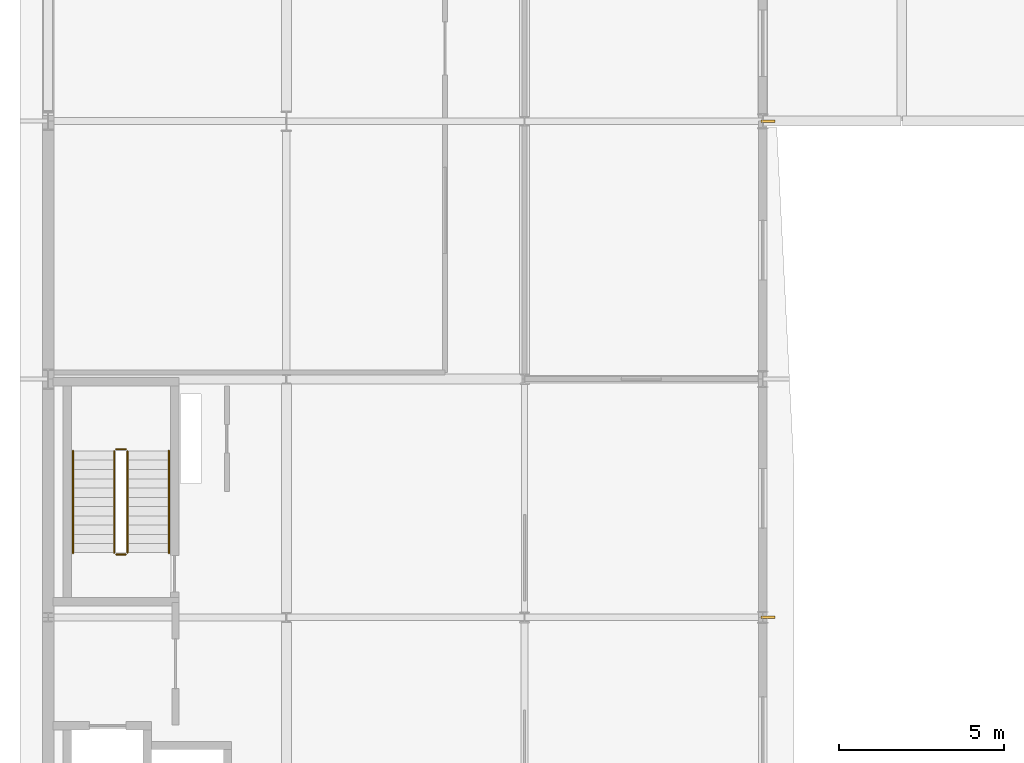
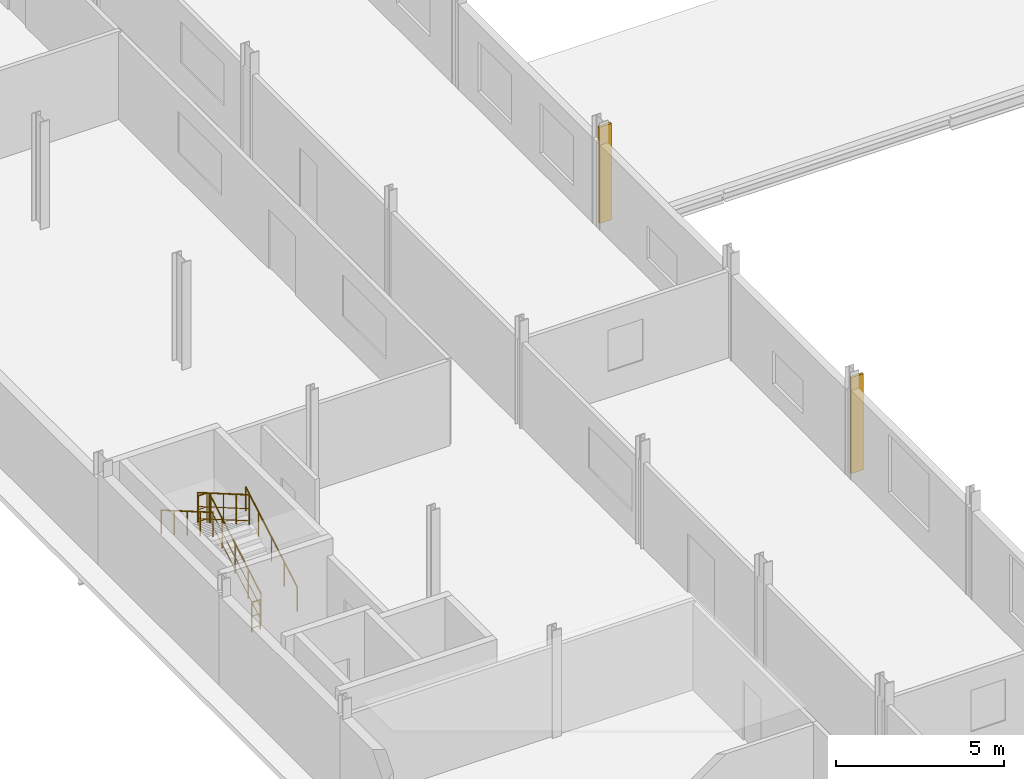
# One storey, part 76 of 78: 6 railings, 2 shading devices.
"""IFC4 building model written with IfcOpenShell, lengths in metres."""

from ifc_helpers import new_model, si_unit, direction, frame, origin, origin_2d, place, context, subcontext, project, spatial, rectangle, circle, extrude, material, type_object, element, save


model = new_model("IFC4")

# Units and contexts
model_context = context("Model", 3, precision=1e-05, world=origin(), true_north=direction((0.0, 1.0)))
body_context = subcontext(model_context, "Body", "Model", "MODEL_VIEW")
ifc_project = project(units=[si_unit("LENGTHUNIT", "METRE"), si_unit("AREAUNIT", "SQUARE_METRE"), si_unit("VOLUMEUNIT", "CUBIC_METRE"), si_unit("PLANEANGLEUNIT", "RADIAN"), si_unit("MASSUNIT", "GRAM", prefix="KILO")], contexts=[model_context])

# Site, building, storey
site_placement = place(None, origin())
site = spatial("IfcSite", under=ifc_project, at=site_placement, CompositionType="ELEMENT")
building_placement = place(site_placement, origin())
building = spatial("IfcBuilding", under=site, at=building_placement, Name="Vinh Khe Railworks Police Headquarters", CompositionType="ELEMENT")
storey_placement = place(building_placement, frame((0.0, 0.0, 13.199951171875)))
storey = spatial("IfcBuildingStorey", under=building, at=storey_placement, Name="L03", CompositionType="ELEMENT", Elevation=13.199951171875)

# Railings
ifc_material_1 = material(Name="Painted tubular steel", Category="steel")
railing_type_1 = type_object("IfcRailingType", Name="RL-GUARD-1100", PredefinedType="GUARDRAIL", material=ifc_material_1)
railing_1_placement = place(storey_placement, frame((3.0, 82.949951171875, 0.16259765625)))
element("IfcRailing", 1, at=railing_1_placement, inside=storey, type_object=railing_type_1, Name="L03 ST-02 stair guard 1", PredefinedType="GUARDRAIL", context=body_context, shape_type="SweptSolid", body=[
    extrude(circle(Radius=0.02392578125, at=origin_2d()), frame((0.0, 0.0, 1.076171875), z_axis=(0.0, 0.864920483161, 0.501908913857), x_axis=(-1.0, 0.0, 0.0)), (0.0, 0.0, 1.0), 3.56103515625),
    extrude(circle(Radius=0.01416015625, at=origin_2d()), frame((0.0, 0.0, 0.132080078125), z_axis=(0.0, 0.864920483161, 0.501908913857), x_axis=(-1.0, 0.0, 0.0)), (0.0, 0.0, 1.0), 3.56103515625),
    extrude(circle(Radius=0.01416015625, at=origin_2d()), frame((0.0, 0.0, 0.572021484375), z_axis=(0.0, 0.864920483161, 0.501908913857), x_axis=(-1.0, 0.0, 0.0)), (0.0, 0.0, 1.0), 3.56103515625),
    extrude(circle(Radius=0.02099609375, at=origin_2d()), origin(), (0.0, 0.0, 1.0), 1.052001953125),
    extrude(circle(Radius=0.02099609375, at=origin_2d()), frame((0.0, 0.77001953125, 0.44677734375)), (0.0, 0.0, 1.0), 1.052001953125),
    extrude(circle(Radius=0.02099609375, at=origin_2d()), frame((0.0, 1.5400390625, 0.8935546875)), (0.0, 0.0, 1.0), 1.052001953125),
    extrude(circle(Radius=0.02099609375, at=origin_2d()), frame((0.0, 2.31005859375, 1.340576171875)), (0.0, 0.0, 1.0), 1.052001953125),
    extrude(circle(Radius=0.02099609375, at=origin_2d()), frame((0.0, 3.080078125, 1.787353515625)), (0.0, 0.0, 1.0), 1.052001953125),
])
railing_2_placement = place(storey_placement, frame((2.949951171875, 86.080078125, 1.949951171875)))
element("IfcRailing", 2, at=railing_2_placement, inside=storey, type_object=railing_type_1, Name="L03 ST-02 stair guard 2", PredefinedType="GUARDRAIL", context=body_context, shape_type="SweptSolid", body=[
    extrude(circle(Radius=0.02392578125, at=origin_2d()), frame((0.0, 0.0, 1.076171875), z_axis=(-1.0, 0.0, 0.0), x_axis=(0.0, -1.0, 0.0)), (0.0, 0.0, 1.0), 0.300048828125),
    extrude(circle(Radius=0.01416015625, at=origin_2d()), frame((0.0, 0.0, 0.132080078125), z_axis=(-1.0, 0.0, 0.0), x_axis=(0.0, -1.0, 0.0)), (0.0, 0.0, 1.0), 0.300048828125),
    extrude(circle(Radius=0.01416015625, at=origin_2d()), frame((0.0, 0.0, 0.572021484375), z_axis=(-1.0, 0.0, 0.0), x_axis=(0.0, -1.0, 0.0)), (0.0, 0.0, 1.0), 0.300048828125),
    extrude(circle(Radius=0.02099609375, at=origin_2d()), origin(), (0.0, 0.0, 1.0), 1.052001953125),
    extrude(circle(Radius=0.02099609375, at=origin_2d()), frame((-0.300048828125, 0.0, 0.0)), (0.0, 0.0, 1.0), 1.052001953125),
])
railing_3_placement = place(storey_placement, frame((2.60009765625, 86.030029296875, 2.112548828125)))
element("IfcRailing", 3, at=railing_3_placement, inside=storey, type_object=railing_type_1, Name="L03 ST-02 stair guard 3", PredefinedType="GUARDRAIL", context=body_context, shape_type="SweptSolid", body=[
    extrude(circle(Radius=0.02392578125, at=origin_2d()), frame((0.0, 0.0, 1.076171875), z_axis=(0.0, -0.864890721111, 0.501960198159), x_axis=(1.0, 0.0, 0.0)), (0.0, 0.0, 1.0), 3.561279296875),
    extrude(circle(Radius=0.01416015625, at=origin_2d()), frame((0.0, 0.0, 0.132080078125), z_axis=(0.0, -0.864890721111, 0.501960198159), x_axis=(1.0, 0.0, 0.0)), (0.0, 0.0, 1.0), 3.561279296875),
    extrude(circle(Radius=0.01416015625, at=origin_2d()), frame((0.0, 0.0, 0.572021484375), z_axis=(0.0, -0.864890721111, 0.501960198159), x_axis=(1.0, 0.0, 0.0)), (0.0, 0.0, 1.0), 3.561279296875),
    extrude(circle(Radius=0.02099609375, at=origin_2d()), origin(), (0.0, 0.0, 1.0), 1.052001953125),
    extrude(circle(Radius=0.02099609375, at=origin_2d()), frame((0.0, -0.77001953125, 0.44677734375)), (0.0, 0.0, 1.0), 1.052001953125),
    extrude(circle(Radius=0.02099609375, at=origin_2d()), frame((0.0, -1.5400390625, 0.893798828125)), (0.0, 0.0, 1.0), 1.052001953125),
    extrude(circle(Radius=0.02099609375, at=origin_2d()), frame((0.0, -2.31005859375, 1.3408203125)), (0.0, 0.0, 1.0), 1.052001953125),
    extrude(circle(Radius=0.02099609375, at=origin_2d()), frame((0.0, -3.080078125, 1.78759765625)), (0.0, 0.0, 1.0), 1.052001953125),
])
railing_4_placement = place(storey_placement, frame((2.949951171875, 82.89990234375, 0.0)))
element("IfcRailing", 4, at=railing_4_placement, inside=storey, type_object=railing_type_1, Name="L03 ST-02 stair guard 4", PredefinedType="GUARDRAIL", context=body_context, shape_type="SweptSolid", body=[
    extrude(circle(Radius=0.02392578125, at=origin_2d()), frame((0.0, 0.0, 1.076171875), z_axis=(-1.0, 0.0, 0.0), x_axis=(0.0, -1.0, 0.0)), (0.0, 0.0, 1.0), 0.300048828125),
    extrude(circle(Radius=0.01416015625, at=origin_2d()), frame((0.0, 0.0, 0.132080078125), z_axis=(-1.0, 0.0, 0.0), x_axis=(0.0, -1.0, 0.0)), (0.0, 0.0, 1.0), 0.300048828125),
    extrude(circle(Radius=0.01416015625, at=origin_2d()), frame((0.0, 0.0, 0.572021484375), z_axis=(-1.0, 0.0, 0.0), x_axis=(0.0, -1.0, 0.0)), (0.0, 0.0, 1.0), 0.300048828125),
    extrude(circle(Radius=0.02099609375, at=origin_2d()), origin(), (0.0, 0.0, 1.0), 1.052001953125),
    extrude(circle(Radius=0.02099609375, at=origin_2d()), frame((-0.300048828125, 0.0, 0.0)), (0.0, 0.0, 1.0), 1.052001953125),
])
ifc_material_2 = material(Name="Brushed stainless steel", Category="steel")
railing_type_2 = type_object("IfcRailingType", Name="RL-HAND-900", PredefinedType="HANDRAIL", material=ifc_material_2)
railing_5_placement = place(storey_placement, frame((4.25, 82.949951171875, 0.16259765625)))
element("IfcRailing", 5, at=railing_5_placement, inside=storey, type_object=railing_type_2, Name="L03 ST-02 stair handrail 1", PredefinedType="HANDRAIL", context=body_context, shape_type="SweptSolid", body=[
    extrude(circle(Radius=0.02392578125, at=origin_2d()), frame((0.0, 0.0, 0.8759765625), z_axis=(0.0, 0.864920483161, 0.501908913857), x_axis=(-1.0, 0.0, 0.0)), (0.0, 0.0, 1.0), 3.56103515625),
    extrude(circle(Radius=0.02099609375, at=origin_2d()), origin(), (0.0, 0.0, 1.0), 0.851806640625),
    extrude(circle(Radius=0.02099609375, at=origin_2d()), frame((0.0, 0.77001953125, 0.44677734375)), (0.0, 0.0, 1.0), 0.851806640625),
    extrude(circle(Radius=0.02099609375, at=origin_2d()), frame((0.0, 1.5400390625, 0.8935546875)), (0.0, 0.0, 1.0), 0.851806640625),
    extrude(circle(Radius=0.02099609375, at=origin_2d()), frame((0.0, 2.31005859375, 1.340576171875)), (0.0, 0.0, 1.0), 0.851806640625),
    extrude(circle(Radius=0.02099609375, at=origin_2d()), frame((0.0, 3.080078125, 1.787353515625)), (0.0, 0.0, 1.0), 0.851806640625),
])
railing_6_placement = place(storey_placement, frame((1.35009765625, 86.030029296875, 2.112548828125)))
element("IfcRailing", 6, at=railing_6_placement, inside=storey, type_object=railing_type_2, Name="L03 ST-02 stair handrail 2", PredefinedType="HANDRAIL", context=body_context, shape_type="SweptSolid", body=[
    extrude(circle(Radius=0.02392578125, at=origin_2d()), frame((0.0, 0.0, 0.8759765625), z_axis=(0.0, -0.864890721111, 0.501960198159), x_axis=(1.0, 0.0, 0.0)), (0.0, 0.0, 1.0), 3.561279296875),
    extrude(circle(Radius=0.02099609375, at=origin_2d()), origin(), (0.0, 0.0, 1.0), 0.851806640625),
    extrude(circle(Radius=0.02099609375, at=origin_2d()), frame((0.0, -0.77001953125, 0.44677734375)), (0.0, 0.0, 1.0), 0.851806640625),
    extrude(circle(Radius=0.02099609375, at=origin_2d()), frame((0.0, -1.5400390625, 0.893798828125)), (0.0, 0.0, 1.0), 0.851806640625),
    extrude(circle(Radius=0.02099609375, at=origin_2d()), frame((0.0, -2.31005859375, 1.3408203125)), (0.0, 0.0, 1.0), 0.851806640625),
    extrude(circle(Radius=0.02099609375, at=origin_2d()), frame((0.0, -3.080078125, 1.78759765625)), (0.0, 0.0, 1.0), 0.851806640625),
])

# Shading devices
ifc_material_3 = material(Name="Salvaged ironwood timber", Category="wood")
shading_device_type = type_object("IfcShadingDeviceType", Name="SHD-MSF-01", PredefinedType="JALOUSIE", material=ifc_material_3)
for number, where, z_axis, x_axis, name in (
    (7, (22.360107421875, 81.0, 0.10009765625), (0.0, 0.0, 1.0), (1.0, 0.0, 0.0), "Monsoon Court Solar Fin V5 L03-5"),
    (8, (22.360107421875, 96.0, 0.10009765625), (0.0, 0.0, 1.0), (1.0, 0.0, 0.0), "Monsoon Court Solar Fin V5 L03-6"),
):
    element("IfcShadingDevice", number, at=place(storey_placement, frame(where, z_axis=z_axis, x_axis=x_axis)), inside=storey, type_object=shading_device_type, Name=name, PredefinedType="JALOUSIE", context=body_context, shape_type="SweptSolid", body=[
        extrude(rectangle(XDim=0.419921875, YDim=0.080078125, at=origin_2d()), origin(), (0.0, 0.0, 1.0), 3.5),
    ])

save(model, "model.ifc")
